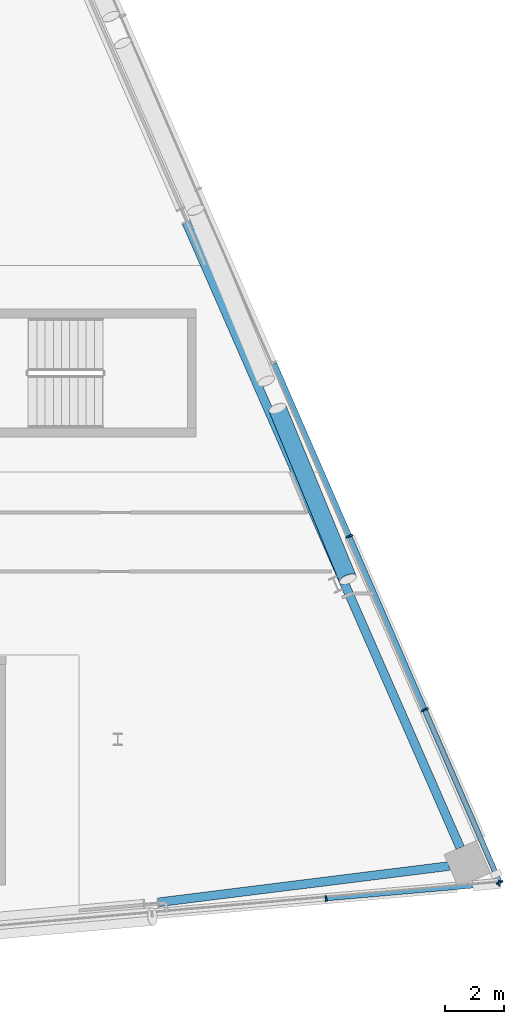
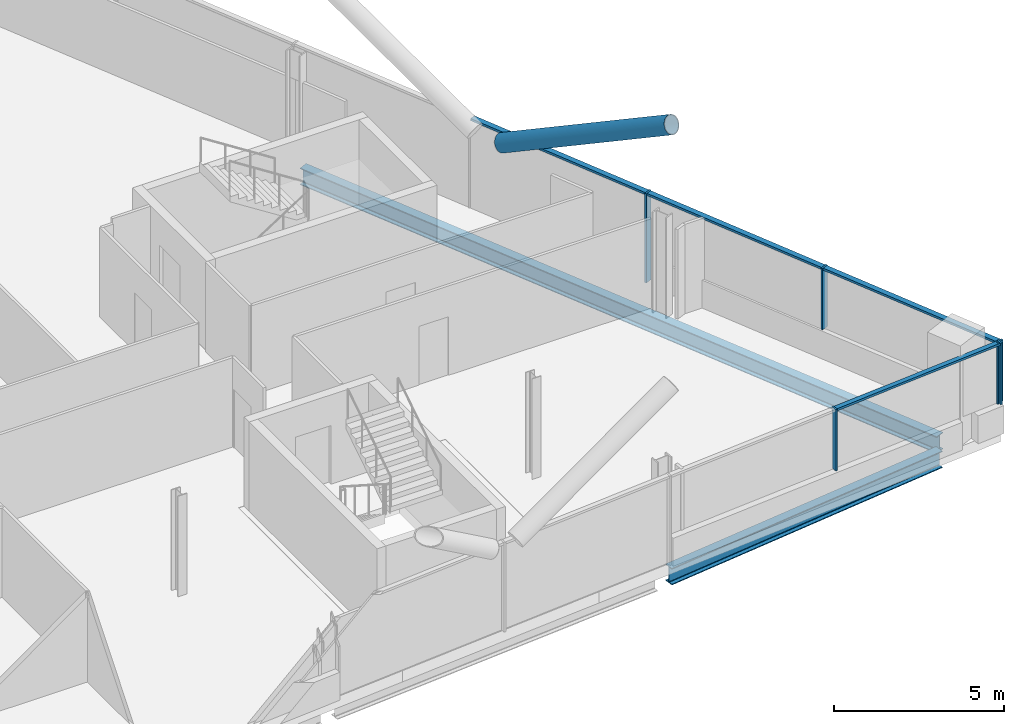
# One storey, part 12 of 26: 10 members, 2 beams, 2 elements without a shape of their own.
"""IFC4 building model written with IfcOpenShell, lengths in metres."""

from ifc_helpers import new_model, si_unit, direction, frame, origin, origin_2d, place, context, subcontext, project, spatial, rectangle, hollow_circle, i_section, extrude, material, material_profile, profile_set, type_object, element, aggregate, save


model = new_model("IFC4")

# Units and contexts
model_context = context("Model", 3, precision=1e-05, world=origin(), true_north=direction((0.0, 1.0)))
body_context = subcontext(model_context, "Body", "Model", "MODEL_VIEW")
ifc_project = project(units=[si_unit("LENGTHUNIT", "METRE"), si_unit("AREAUNIT", "SQUARE_METRE"), si_unit("VOLUMEUNIT", "CUBIC_METRE"), si_unit("PLANEANGLEUNIT", "RADIAN"), si_unit("MASSUNIT", "GRAM", prefix="KILO")], contexts=[model_context])

# Site, building, storey
site_placement = place(None, origin())
site = spatial("IfcSite", under=ifc_project, at=site_placement, CompositionType="ELEMENT")
building_placement = place(site_placement, origin())
building = spatial("IfcBuilding", under=site, at=building_placement, Name="Wharfspan Tower", CompositionType="ELEMENT")
storey_placement = place(building_placement, frame((0.0, 0.0, 214.300049)))
storey = spatial("IfcBuildingStorey", under=building, at=storey_placement, Name="L53", CompositionType="ELEMENT", Elevation=214.300049)

# Beams
ifc_material_1 = material(Name="Steel S355J2", Category="steel")
ifc_material_profile_1 = material_profile(ifc_material_1, i_section(OverallWidth=0.300049, OverallDepth=0.600098, WebThickness=0.015381, FlangeThickness=0.030029, FilletRadius=0.0271, at=origin_2d()))
ifc_profile_set_1 = profile_set([ifc_material_profile_1], Name="Steel S355J2")
beam_type = type_object("IfcBeamType", Name="Edge beam HEB 600", PredefinedType="SPANDREL", material=ifc_profile_set_1)
beam_1_placement = place(storey_placement, frame((73.391602, 5.955322, -0.699951), z_axis=(0.992301, 0.123848, 0.0), x_axis=(-0.123848, 0.992301, 0.0)))
element("IfcBeam", 1, at=beam_1_placement, inside=storey, type_object=beam_type, Name="Edge beam S2 L53 PS2.2 to MC4", PredefinedType="SPANDREL", context=body_context, shape_type="SweptSolid", body=[
    extrude(i_section(OverallWidth=0.300049, OverallDepth=0.600098, WebThickness=0.015381, FlangeThickness=0.030029, FilletRadius=0.0271, at=origin_2d()), origin(), (0.0, 0.0, 1.0), 9.951172),
])
beam_2_placement = place(storey_placement, frame((83.643799, 7.810547, -0.699951), z_axis=(-0.401141, 0.916016, 0.0), x_axis=(-0.916016, -0.401141, 0.0)))
element("IfcBeam", 2, at=beam_2_placement, inside=storey, type_object=beam_type, Name="Edge beam E L53 MC4 to PE.2", PredefinedType="SPANDREL", context=body_context, shape_type="SweptSolid", body=[
    extrude(i_section(OverallWidth=0.300049, OverallDepth=0.600098, WebThickness=0.015381, FlangeThickness=0.030029, FilletRadius=0.0271, at=origin_2d()), origin(), (0.0, 0.0, 1.0), 23.196045),
])

# Curtain wall, members
ifc_material_2 = material(Name="Aluminium 6063-T6", Category="aluminium")
curtain_wall_type_1 = type_object("IfcCurtainWallType", Name="CURTAIN WALL FACETED FRONT", PredefinedType="NOTDEFINED", material=ifc_material_2)
curtain_wall_1_placement = place(storey_placement, origin())
curtain_wall_1 = element("IfcCurtainWall", 3, at=curtain_wall_1_placement, inside=storey, type_object=curtain_wall_type_1, Name="Curtain wall S2", PredefinedType="NOTDEFINED")
ifc_material_profile_2 = material_profile(ifc_material_2, rectangle(XDim=0.199951, YDim=0.060059, at=origin_2d()))
ifc_profile_set_2 = profile_set([ifc_material_profile_2], Name="Aluminium 6063-T6")
member_type_1 = type_object("IfcMemberType", Name="MULLION FACETED FRONT 60x200", PredefinedType="MULLION", material=ifc_profile_set_2)
member_1_placement = place(storey_placement, frame((79.083252, 6.082275, 1.0), z_axis=(0.0, 0.0, 1.0), x_axis=(-0.087156, 0.996197, 0.0)))
member_1 = element("IfcMember", 4, at=member_1_placement, type_object=member_type_1, Name="Curtain wall S2 mullion 6", PredefinedType="MULLION", context=body_context, shape_type="SweptSolid", body=[
    extrude(rectangle(XDim=0.199951, YDim=0.060059, at=origin_2d()), origin(), (0.0, 0.0, 1.0), 2.199951),
])
member_2_placement = place(storey_placement, frame((84.970215, 6.597412, 1.0), z_axis=(0.0, 0.0, 1.0), x_axis=(-0.087156, 0.996197, 0.0)))
member_2 = element("IfcMember", 5, at=member_2_placement, type_object=member_type_1, Name="Curtain wall S2 mullion 7", PredefinedType="MULLION", context=body_context, shape_type="SweptSolid", body=[
    extrude(rectangle(XDim=0.199951, YDim=0.060059, at=origin_2d()), origin(), (0.0, 0.0, 1.0), 2.199951),
])

curtain_wall_type_2 = type_object("IfcCurtainWallType", Name="CURTAIN WALL PROW AND END", PredefinedType="NOTDEFINED", material=ifc_material_2)
curtain_wall_2_placement = place(storey_placement, origin())
curtain_wall_2 = element("IfcCurtainWall", 6, at=curtain_wall_2_placement, inside=storey, type_object=curtain_wall_type_2, Name="Curtain wall E", PredefinedType="NOTDEFINED")
ifc_material_profile_3 = material_profile(ifc_material_2, rectangle(XDim=0.23999, YDim=0.060059, at=origin_2d()))
ifc_profile_set_3 = profile_set([ifc_material_profile_3], Name="Aluminium 6063-T6")
member_type_2 = type_object("IfcMemberType", Name="MULLION PROW AND END 60x240", PredefinedType="MULLION", material=ifc_profile_set_3)
member_3_placement = place(storey_placement, frame((84.988037, 6.627441, 1.0), z_axis=(0.0, 0.0, 1.0), x_axis=(-0.917072, -0.398727, 0.0)))
member_3 = element("IfcMember", 7, at=member_3_placement, type_object=member_type_2, Name="Curtain wall E mullion 1", PredefinedType="MULLION", context=body_context, shape_type="SweptSolid", body=[
    extrude(rectangle(XDim=0.23999, YDim=0.060059, at=origin_2d()), origin(), (0.0, 0.0, 1.0), 2.199951),
])
member_4_placement = place(storey_placement, frame((82.434814, 12.5, 1.0), z_axis=(0.0, 0.0, 1.0), x_axis=(-0.917072, -0.398727, 0.0)))
member_4 = element("IfcMember", 8, at=member_4_placement, type_object=member_type_2, Name="Curtain wall E mullion 2", PredefinedType="MULLION", context=body_context, shape_type="SweptSolid", body=[
    extrude(rectangle(XDim=0.23999, YDim=0.060059, at=origin_2d()), origin(), (0.0, 0.0, 1.0), 2.199951),
])
member_5_placement = place(storey_placement, frame((79.869629, 18.399902, 0.0), z_axis=(0.0, 0.0, 1.0), x_axis=(-0.917072, -0.398727, 0.0)))
member_5 = element("IfcMember", 9, at=member_5_placement, type_object=member_type_2, Name="Curtain wall E mullion 3", PredefinedType="MULLION", context=body_context, shape_type="SweptSolid", body=[
    extrude(rectangle(XDim=0.23999, YDim=0.060059, at=origin_2d()), origin(), (0.0, 0.0, 1.0), 3.199951),
])

# Member
ifc_material_3 = material(Name="Steel S460NH", Category="steel")
ifc_material_profile_4 = material_profile(ifc_material_3, hollow_circle(Radius=0.304932, WallThickness=0.024902, at=origin_2d()))
ifc_profile_set_4 = profile_set([ifc_material_profile_4], Name="Steel S460NH")
member_type_3 = type_object("IfcMemberType", Name="Mega brace CHS 610x25", PredefinedType="BRACE", material=ifc_profile_set_4)
member_6_placement = place(storey_placement, frame((77.431885, 22.744141, 3.167236), z_axis=(0.337042, -0.816355, 0.469007), x_axis=(0.924324, 0.381616, -4e-06)))
element("IfcMember", 10, at=member_6_placement, inside=storey, type_object=member_type_3, Name="Mega brace E5 L53 part 4", PredefinedType="BRACE", context=body_context, shape_type="SweptSolid", body=[
    extrude(hollow_circle(Radius=0.304932, WallThickness=0.024902, at=origin_2d()), origin(), (0.0, 0.0, 1.0), 7.105957),
])

ifc_material_profile_5 = material_profile(ifc_material_2, rectangle(XDim=0.159912, YDim=0.080078, at=origin_2d()))
ifc_profile_set_5 = profile_set([ifc_material_profile_5], Name="Aluminium 6063-T6")
member_type_4 = type_object("IfcMemberType", Name="TRANSOM FACETED FRONT 80x160", PredefinedType="USERDEFINED", material=ifc_profile_set_5)
member_7_placement = place(storey_placement, frame((79.113281, 6.084961, 3.159912), z_axis=(0.996195, 0.087152, 0.0), x_axis=(-0.087152, 0.996195, 0.0)))
member_7 = element("IfcMember", 11, at=member_7_placement, type_object=member_type_4, Name="Curtain wall S2 transom 6", ObjectType="TRANSOM", PredefinedType="USERDEFINED", context=body_context, shape_type="SweptSolid", body=[
    extrude(rectangle(XDim=0.159912, YDim=0.080078, at=origin_2d()), origin(), (0.0, 0.0, 1.0), 5.849121),
])

aggregate(curtain_wall_1, [member_1, member_2, member_7])

ifc_material_profile_6 = material_profile(ifc_material_2, rectangle(XDim=0.179932, YDim=0.080078, at=origin_2d()))
ifc_profile_set_6 = profile_set([ifc_material_profile_6], Name="Aluminium 6063-T6")
member_type_5 = type_object("IfcMemberType", Name="TRANSOM PROW AND END 80x180", PredefinedType="USERDEFINED", material=ifc_profile_set_6)
member_8_placement = place(storey_placement, frame((84.976074, 6.655029, 3.159912), z_axis=(-0.398726, 0.91707, 0.0), x_axis=(-0.91707, -0.398726, 0.0)))
member_8 = element("IfcMember", 12, at=member_8_placement, type_object=member_type_5, Name="Curtain wall E transom 1", ObjectType="TRANSOM", PredefinedType="USERDEFINED", context=body_context, shape_type="SweptSolid", body=[
    extrude(rectangle(XDim=0.179932, YDim=0.080078, at=origin_2d()), origin(), (0.0, 0.0, 1.0), 6.343506),
])

member_9_placement = place(storey_placement, frame((82.422852, 12.527588, 3.159912), z_axis=(-0.398722, 0.917072, 0.0), x_axis=(-0.917072, -0.398722, 0.0)))
member_9 = element("IfcMember", 13, at=member_9_placement, type_object=member_type_5, Name="Curtain wall E transom 2", ObjectType="TRANSOM", PredefinedType="USERDEFINED", context=body_context, shape_type="SweptSolid", body=[
    extrude(rectangle(XDim=0.179932, YDim=0.080078, at=origin_2d()), origin(), (0.0, 0.0, 1.0), 6.373535),
])

member_10_placement = place(storey_placement, frame((79.857666, 18.42749, 3.159912), z_axis=(-0.398722, 0.917072, 0.0), x_axis=(-0.917072, -0.398722, 0.0)))
member_10 = element("IfcMember", 14, at=member_10_placement, type_object=member_type_5, Name="Curtain wall E transom 3", ObjectType="TRANSOM", PredefinedType="USERDEFINED", context=body_context, shape_type="SweptSolid", body=[
    extrude(rectangle(XDim=0.179932, YDim=0.080078, at=origin_2d()), origin(), (0.0, 0.0, 1.0), 6.373535),
])

aggregate(curtain_wall_2, [member_3, member_4, member_5, member_8, member_9, member_10])

save(model, "model.ifc")
